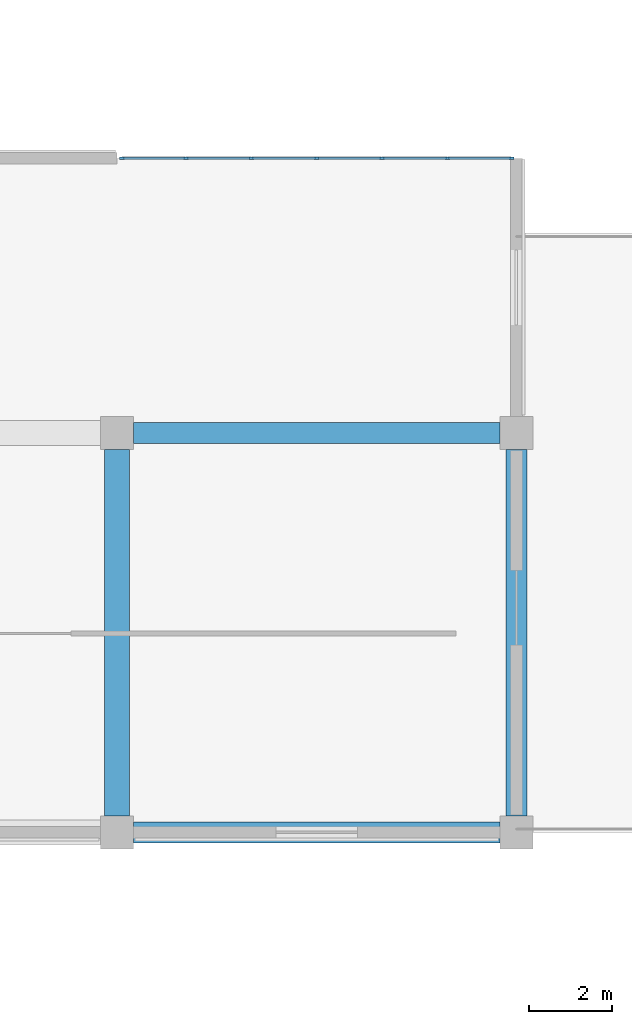
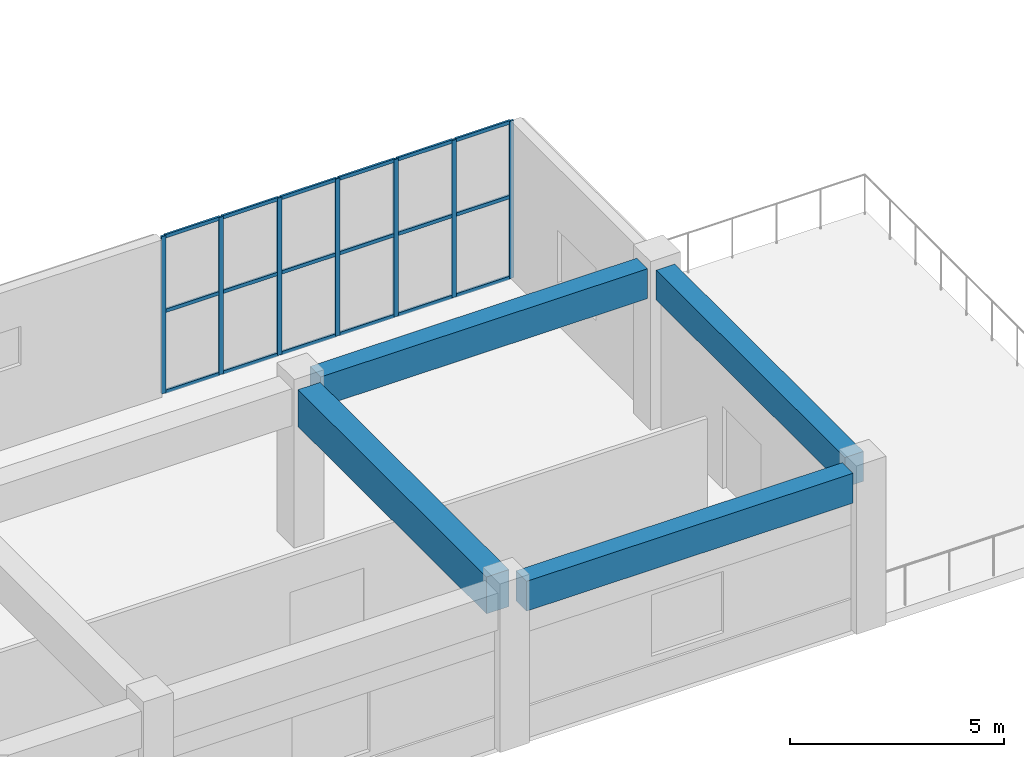
# One storey, part 13 of 33: 25 members, 4 beams, 1 element without a shape of its own.
"""IFC4 building model written with IfcOpenShell, lengths in metres."""

from ifc_helpers import new_model, si_unit, direction, frame, origin, origin_2d, place, context, subcontext, project, spatial, rectangle, extrude, material, layer, layer_set, material_profile, profile_set, type_object, element, aggregate, save


model = new_model("IFC4")

# Units and contexts
model_context = context("Model", 3, precision=1e-05, world=origin(), true_north=direction((0.0, 1.0)))
body_context = subcontext(model_context, "Body", "Model", "MODEL_VIEW")
ifc_project = project(units=[si_unit("LENGTHUNIT", "METRE"), si_unit("AREAUNIT", "SQUARE_METRE"), si_unit("VOLUMEUNIT", "CUBIC_METRE"), si_unit("PLANEANGLEUNIT", "RADIAN"), si_unit("MASSUNIT", "GRAM", prefix="KILO")], contexts=[model_context])

# Site, building, storey
site_placement = place(None, origin())
site = spatial("IfcSite", under=ifc_project, at=site_placement, CompositionType="ELEMENT")
building_placement = place(site_placement, origin())
building = spatial("IfcBuilding", under=site, at=building_placement, Name="Cendralis Terraced Arcade", CompositionType="ELEMENT")
storey_placement = place(building_placement, frame((0.0, 0.0, 19.800048828125)))
storey = spatial("IfcBuildingStorey", under=building, at=storey_placement, Name="L04", CompositionType="ELEMENT", Elevation=19.800048828125)

# Beams
ifc_material_1 = material(Name="Concrete f'c 35 MPa", Category="concrete")
ifc_material_profile_1 = material_profile(ifc_material_1, rectangle(XDim=0.5, YDim=0.85009765625, at=origin_2d()), Name="RC-BM-500x850", Category="LoadBearing")
ifc_profile_set_1 = profile_set([ifc_material_profile_1], Name="Concrete f'c 35 MPa")
beam_type_1 = type_object("IfcBeamType", Name="BM-500x850", PredefinedType="JOIST", material=ifc_profile_set_1)
for number, where, z_axis, x_axis, name in (
    (1, (38.800048828125, 69.60009765625, 4.079833984375), (1.0, 0.0, 0.0), (0.0, 1.0, 0.0), "Terrace Support Girder TER-L05-V3-1"),
    (2, (38.800048828125, 79.199951171875, 4.079833984375), (1.0, 0.0, 0.0), (0.0, 1.0, 0.0), "Terrace Support Girder TER-L05-V3-2"),
    (3, (48.0, 70.0, 4.079833984375), (0.0, 1.0, 0.0), (-1.0, 0.0, 0.0), "Terrace Support Girder TER-L05-V3-4"),
):
    element("IfcBeam", number, at=place(storey_placement, frame(where, z_axis=z_axis, x_axis=x_axis)), inside=storey, type_object=beam_type_1, Name=name, PredefinedType="JOIST", context=body_context, shape_type="SweptSolid", body=[
        extrude(rectangle(XDim=0.5, YDim=0.85009765625, at=origin_2d()), origin(), (0.0, 0.0, 1.0), 8.800048828125),
    ])
ifc_material_profile_2 = material_profile(ifc_material_1, rectangle(XDim=0.60009765625, YDim=1.050048828125, at=origin_2d()), Name="RC-BM-600x1050", Category="LoadBearing")
ifc_profile_set_2 = profile_set([ifc_material_profile_2], Name="Concrete f'c 35 MPa")
beam_type_2 = type_object("IfcBeamType", Name="BM-600x1050", PredefinedType="JOIST", material=ifc_profile_set_2)
beam_placement = place(storey_placement, frame((38.39990234375, 70.0, 3.954833984375), z_axis=(0.0, 1.0, 0.0), x_axis=(-1.0, 0.0, 0.0)))
element("IfcBeam", 4, at=beam_placement, inside=storey, type_object=beam_type_2, Name="Reinforced Concrete Frame Beam BM-Y-L05-5-H_J", PredefinedType="JOIST", context=body_context, shape_type="SweptSolid", body=[
    extrude(rectangle(XDim=0.60009765625, YDim=1.050048828125, at=origin_2d()), origin(), (0.0, 0.0, 1.0), 8.800048828125),
])

# Curtain wall, members
ifc_material_2 = material(Name="Anodised aluminium EN AW-6063 T6", Category="aluminium")
ifc_layer = layer(ifc_material_2, 0.1201171875, Name="CW-STORE-B")
ifc_layer_set = layer_set([ifc_layer], Name="Anodised aluminium EN AW-6063 T6")
curtain_wall_type = type_object("IfcCurtainWallType", Name="CW-STORE-B", PredefinedType="USERDEFINED", material=ifc_layer_set)
curtain_wall_placement = place(storey_placement, origin())
curtain_wall = element("IfcCurtainWall", 5, at=curtain_wall_placement, inside=storey, type_object=curtain_wall_type, Name="Exterior Storefront Glazing CW-L04-0377", ObjectType="STOREFRONT GLAZING", PredefinedType="USERDEFINED")
ifc_material_profile_3 = material_profile(ifc_material_2, rectangle(XDim=0.054931640625, YDim=0.1201171875, at=origin_2d()), Name="ALU-MUL-55x120")
ifc_profile_set_3 = profile_set([ifc_material_profile_3], Name="Anodised aluminium EN AW-6063 T6")
member_type_1 = type_object("IfcMemberType", Name="CW-STORE-B-MUL", PredefinedType="MULLION", material=ifc_profile_set_3)
member_1_placement = place(storey_placement, frame((38.517578125, 85.800048828125, 0.0), z_axis=(0.0, 0.0, 1.0), x_axis=(0.0, 1.0, 0.0)))
member_1 = element("IfcMember", 6, at=member_1_placement, type_object=member_type_1, Name="CW-S2 mullion 1", PredefinedType="MULLION", context=body_context, shape_type="SweptSolid", body=[
    extrude(rectangle(XDim=0.054931640625, YDim=0.1201171875, at=origin_2d()), origin(), (0.0, 0.0, 1.0), 4.47998046875),
])
member_2_placement = place(storey_placement, frame((40.06005859375, 85.800048828125, 0.0), z_axis=(0.0, 0.0, 1.0), x_axis=(0.0, 1.0, 0.0)))
member_2 = element("IfcMember", 7, at=member_2_placement, type_object=member_type_1, Name="CW-S2 mullion 2", PredefinedType="MULLION", context=body_context, shape_type="SweptSolid", body=[
    extrude(rectangle(XDim=0.054931640625, YDim=0.1201171875, at=origin_2d()), origin(), (0.0, 0.0, 1.0), 4.47998046875),
])
member_3_placement = place(storey_placement, frame((41.6298828125, 85.800048828125, 0.0), z_axis=(0.0, 0.0, 1.0), x_axis=(0.0, 1.0, 0.0)))
member_3 = element("IfcMember", 8, at=member_3_placement, type_object=member_type_1, Name="CW-S2 mullion 3", PredefinedType="MULLION", context=body_context, shape_type="SweptSolid", body=[
    extrude(rectangle(XDim=0.054931640625, YDim=0.1201171875, at=origin_2d()), origin(), (0.0, 0.0, 1.0), 4.47998046875),
])
member_4_placement = place(storey_placement, frame((43.199951171875, 85.800048828125, 0.0), z_axis=(0.0, 0.0, 1.0), x_axis=(0.0, 1.0, 0.0)))
member_4 = element("IfcMember", 9, at=member_4_placement, type_object=member_type_1, Name="CW-S2 mullion 4", PredefinedType="MULLION", context=body_context, shape_type="SweptSolid", body=[
    extrude(rectangle(XDim=0.054931640625, YDim=0.1201171875, at=origin_2d()), origin(), (0.0, 0.0, 1.0), 4.47998046875),
])
member_5_placement = place(storey_placement, frame((44.77001953125, 85.800048828125, 0.0), z_axis=(0.0, 0.0, 1.0), x_axis=(0.0, 1.0, 0.0)))
member_5 = element("IfcMember", 10, at=member_5_placement, type_object=member_type_1, Name="CW-S2 mullion 5", PredefinedType="MULLION", context=body_context, shape_type="SweptSolid", body=[
    extrude(rectangle(XDim=0.054931640625, YDim=0.1201171875, at=origin_2d()), origin(), (0.0, 0.0, 1.0), 4.47998046875),
])
member_6_placement = place(storey_placement, frame((46.340087890625, 85.800048828125, 0.0), z_axis=(0.0, 0.0, 1.0), x_axis=(0.0, 1.0, 0.0)))
member_6 = element("IfcMember", 11, at=member_6_placement, type_object=member_type_1, Name="CW-S2 mullion 6", PredefinedType="MULLION", context=body_context, shape_type="SweptSolid", body=[
    extrude(rectangle(XDim=0.054931640625, YDim=0.1201171875, at=origin_2d()), origin(), (0.0, 0.0, 1.0), 4.47998046875),
])
member_7_placement = place(storey_placement, frame((47.882568359375, 85.800048828125, 0.0), z_axis=(0.0, 0.0, 1.0), x_axis=(0.0, 1.0, 0.0)))
member_7 = element("IfcMember", 12, at=member_7_placement, type_object=member_type_1, Name="CW-S2 mullion 7", PredefinedType="MULLION", context=body_context, shape_type="SweptSolid", body=[
    extrude(rectangle(XDim=0.054931640625, YDim=0.1201171875, at=origin_2d()), origin(), (0.0, 0.0, 1.0), 4.47998046875),
])
ifc_material_profile_4 = material_profile(ifc_material_2, rectangle(XDim=0.054931640625, YDim=0.10009765625, at=origin_2d()), Name="ALU-TRN-55x100")
ifc_profile_set_4 = profile_set([ifc_material_profile_4], Name="Anodised aluminium EN AW-6063 T6")
member_type_2 = type_object("IfcMemberType", Name="CW-STORE-B-TRN", PredefinedType="USERDEFINED", material=ifc_profile_set_4)
member_8_placement = place(storey_placement, frame((38.544921875, 85.800048828125, 0.02734375), z_axis=(1.0, 0.0, 0.0), x_axis=(0.0, 1.0, 0.0)))
member_8 = element("IfcMember", 13, at=member_8_placement, type_object=member_type_2, Name="CW-S2 transom 1.1", ObjectType="TRANSOM", PredefinedType="USERDEFINED", context=body_context, shape_type="SweptSolid", body=[
    extrude(rectangle(XDim=0.054931640625, YDim=0.10009765625, at=origin_2d()), origin(), (0.0, 0.0, 1.0), 1.487548828125),
])
member_9_placement = place(storey_placement, frame((38.544921875, 85.800048828125, 2.32958984375), z_axis=(1.0, 0.0, 0.0), x_axis=(0.0, 1.0, 0.0)))
member_9 = element("IfcMember", 14, at=member_9_placement, type_object=member_type_2, Name="CW-S2 transom 1.2", ObjectType="TRANSOM", PredefinedType="USERDEFINED", context=body_context, shape_type="SweptSolid", body=[
    extrude(rectangle(XDim=0.054931640625, YDim=0.10009765625, at=origin_2d()), origin(), (0.0, 0.0, 1.0), 1.487548828125),
])
member_10_placement = place(storey_placement, frame((38.544921875, 85.800048828125, 4.452392578125), z_axis=(1.0, 0.0, 0.0), x_axis=(0.0, 1.0, 0.0)))
member_10 = element("IfcMember", 15, at=member_10_placement, type_object=member_type_2, Name="CW-S2 transom 1.3", ObjectType="TRANSOM", PredefinedType="USERDEFINED", context=body_context, shape_type="SweptSolid", body=[
    extrude(rectangle(XDim=0.054931640625, YDim=0.10009765625, at=origin_2d()), origin(), (0.0, 0.0, 1.0), 1.487548828125),
])
member_11_placement = place(storey_placement, frame((40.08740234375, 85.800048828125, 0.02734375), z_axis=(1.0, 0.0, 0.0), x_axis=(0.0, 1.0, 0.0)))
member_11 = element("IfcMember", 16, at=member_11_placement, type_object=member_type_2, Name="CW-S2 transom 2.1", ObjectType="TRANSOM", PredefinedType="USERDEFINED", context=body_context, shape_type="SweptSolid", body=[
    extrude(rectangle(XDim=0.054931640625, YDim=0.10009765625, at=origin_2d()), origin(), (0.0, 0.0, 1.0), 1.51513671875),
])
member_12_placement = place(storey_placement, frame((40.08740234375, 85.800048828125, 2.32958984375), z_axis=(1.0, 0.0, 0.0), x_axis=(0.0, 1.0, 0.0)))
member_12 = element("IfcMember", 17, at=member_12_placement, type_object=member_type_2, Name="CW-S2 transom 2.2", ObjectType="TRANSOM", PredefinedType="USERDEFINED", context=body_context, shape_type="SweptSolid", body=[
    extrude(rectangle(XDim=0.054931640625, YDim=0.10009765625, at=origin_2d()), origin(), (0.0, 0.0, 1.0), 1.51513671875),
])
member_13_placement = place(storey_placement, frame((40.08740234375, 85.800048828125, 4.452392578125), z_axis=(1.0, 0.0, 0.0), x_axis=(0.0, 1.0, 0.0)))
member_13 = element("IfcMember", 18, at=member_13_placement, type_object=member_type_2, Name="CW-S2 transom 2.3", ObjectType="TRANSOM", PredefinedType="USERDEFINED", context=body_context, shape_type="SweptSolid", body=[
    extrude(rectangle(XDim=0.054931640625, YDim=0.10009765625, at=origin_2d()), origin(), (0.0, 0.0, 1.0), 1.51513671875),
])
member_14_placement = place(storey_placement, frame((41.657470703125, 85.800048828125, 0.02734375), z_axis=(1.0, 0.0, 0.0), x_axis=(0.0, 1.0, 0.0)))
member_14 = element("IfcMember", 19, at=member_14_placement, type_object=member_type_2, Name="CW-S2 transom 3.1", ObjectType="TRANSOM", PredefinedType="USERDEFINED", context=body_context, shape_type="SweptSolid", body=[
    extrude(rectangle(XDim=0.054931640625, YDim=0.10009765625, at=origin_2d()), origin(), (0.0, 0.0, 1.0), 1.51513671875),
])
member_15_placement = place(storey_placement, frame((41.657470703125, 85.800048828125, 2.32958984375), z_axis=(1.0, 0.0, 0.0), x_axis=(0.0, 1.0, 0.0)))
member_15 = element("IfcMember", 20, at=member_15_placement, type_object=member_type_2, Name="CW-S2 transom 3.2", ObjectType="TRANSOM", PredefinedType="USERDEFINED", context=body_context, shape_type="SweptSolid", body=[
    extrude(rectangle(XDim=0.054931640625, YDim=0.10009765625, at=origin_2d()), origin(), (0.0, 0.0, 1.0), 1.51513671875),
])
member_16_placement = place(storey_placement, frame((41.657470703125, 85.800048828125, 4.452392578125), z_axis=(1.0, 0.0, 0.0), x_axis=(0.0, 1.0, 0.0)))
member_16 = element("IfcMember", 21, at=member_16_placement, type_object=member_type_2, Name="CW-S2 transom 3.3", ObjectType="TRANSOM", PredefinedType="USERDEFINED", context=body_context, shape_type="SweptSolid", body=[
    extrude(rectangle(XDim=0.054931640625, YDim=0.10009765625, at=origin_2d()), origin(), (0.0, 0.0, 1.0), 1.51513671875),
])
member_17_placement = place(storey_placement, frame((43.2275390625, 85.800048828125, 0.02734375), z_axis=(1.0, 0.0, 0.0), x_axis=(0.0, 1.0, 0.0)))
member_17 = element("IfcMember", 22, at=member_17_placement, type_object=member_type_2, Name="CW-S2 transom 4.1", ObjectType="TRANSOM", PredefinedType="USERDEFINED", context=body_context, shape_type="SweptSolid", body=[
    extrude(rectangle(XDim=0.054931640625, YDim=0.10009765625, at=origin_2d()), origin(), (0.0, 0.0, 1.0), 1.514892578125),
])
member_18_placement = place(storey_placement, frame((43.2275390625, 85.800048828125, 2.32958984375), z_axis=(1.0, 0.0, 0.0), x_axis=(0.0, 1.0, 0.0)))
member_18 = element("IfcMember", 23, at=member_18_placement, type_object=member_type_2, Name="CW-S2 transom 4.2", ObjectType="TRANSOM", PredefinedType="USERDEFINED", context=body_context, shape_type="SweptSolid", body=[
    extrude(rectangle(XDim=0.054931640625, YDim=0.10009765625, at=origin_2d()), origin(), (0.0, 0.0, 1.0), 1.514892578125),
])
member_19_placement = place(storey_placement, frame((43.2275390625, 85.800048828125, 4.452392578125), z_axis=(1.0, 0.0, 0.0), x_axis=(0.0, 1.0, 0.0)))
member_19 = element("IfcMember", 24, at=member_19_placement, type_object=member_type_2, Name="CW-S2 transom 4.3", ObjectType="TRANSOM", PredefinedType="USERDEFINED", context=body_context, shape_type="SweptSolid", body=[
    extrude(rectangle(XDim=0.054931640625, YDim=0.10009765625, at=origin_2d()), origin(), (0.0, 0.0, 1.0), 1.514892578125),
])
member_20_placement = place(storey_placement, frame((44.797607421875, 85.800048828125, 0.02734375), z_axis=(1.0, 0.0, 0.0), x_axis=(0.0, 1.0, 0.0)))
member_20 = element("IfcMember", 25, at=member_20_placement, type_object=member_type_2, Name="CW-S2 transom 5.1", ObjectType="TRANSOM", PredefinedType="USERDEFINED", context=body_context, shape_type="SweptSolid", body=[
    extrude(rectangle(XDim=0.054931640625, YDim=0.10009765625, at=origin_2d()), origin(), (0.0, 0.0, 1.0), 1.514892578125),
])
member_21_placement = place(storey_placement, frame((44.797607421875, 85.800048828125, 2.32958984375), z_axis=(1.0, 0.0, 0.0), x_axis=(0.0, 1.0, 0.0)))
member_21 = element("IfcMember", 26, at=member_21_placement, type_object=member_type_2, Name="CW-S2 transom 5.2", ObjectType="TRANSOM", PredefinedType="USERDEFINED", context=body_context, shape_type="SweptSolid", body=[
    extrude(rectangle(XDim=0.054931640625, YDim=0.10009765625, at=origin_2d()), origin(), (0.0, 0.0, 1.0), 1.514892578125),
])
member_22_placement = place(storey_placement, frame((44.797607421875, 85.800048828125, 4.452392578125), z_axis=(1.0, 0.0, 0.0), x_axis=(0.0, 1.0, 0.0)))
member_22 = element("IfcMember", 27, at=member_22_placement, type_object=member_type_2, Name="CW-S2 transom 5.3", ObjectType="TRANSOM", PredefinedType="USERDEFINED", context=body_context, shape_type="SweptSolid", body=[
    extrude(rectangle(XDim=0.054931640625, YDim=0.10009765625, at=origin_2d()), origin(), (0.0, 0.0, 1.0), 1.514892578125),
])
member_23_placement = place(storey_placement, frame((46.367431640625, 85.800048828125, 0.02734375), z_axis=(1.0, 0.0, 0.0), x_axis=(0.0, 1.0, 0.0)))
member_23 = element("IfcMember", 28, at=member_23_placement, type_object=member_type_2, Name="CW-S2 transom 6.1", ObjectType="TRANSOM", PredefinedType="USERDEFINED", context=body_context, shape_type="SweptSolid", body=[
    extrude(rectangle(XDim=0.054931640625, YDim=0.10009765625, at=origin_2d()), origin(), (0.0, 0.0, 1.0), 1.487548828125),
])
member_24_placement = place(storey_placement, frame((46.367431640625, 85.800048828125, 2.32958984375), z_axis=(1.0, 0.0, 0.0), x_axis=(0.0, 1.0, 0.0)))
member_24 = element("IfcMember", 29, at=member_24_placement, type_object=member_type_2, Name="CW-S2 transom 6.2", ObjectType="TRANSOM", PredefinedType="USERDEFINED", context=body_context, shape_type="SweptSolid", body=[
    extrude(rectangle(XDim=0.054931640625, YDim=0.10009765625, at=origin_2d()), origin(), (0.0, 0.0, 1.0), 1.487548828125),
])
member_25_placement = place(storey_placement, frame((46.367431640625, 85.800048828125, 4.452392578125), z_axis=(1.0, 0.0, 0.0), x_axis=(0.0, 1.0, 0.0)))
member_25 = element("IfcMember", 30, at=member_25_placement, type_object=member_type_2, Name="CW-S2 transom 6.3", ObjectType="TRANSOM", PredefinedType="USERDEFINED", context=body_context, shape_type="SweptSolid", body=[
    extrude(rectangle(XDim=0.054931640625, YDim=0.10009765625, at=origin_2d()), origin(), (0.0, 0.0, 1.0), 1.487548828125),
])
aggregate(curtain_wall, [member_1, member_2, member_3, member_4, member_5, member_6, member_7, member_8, member_9, member_10, member_11, member_12, member_13, member_14, member_15, member_16, member_17, member_18, member_19, member_20, member_21, member_22, member_23, member_24, member_25])

save(model, "model.ifc")
